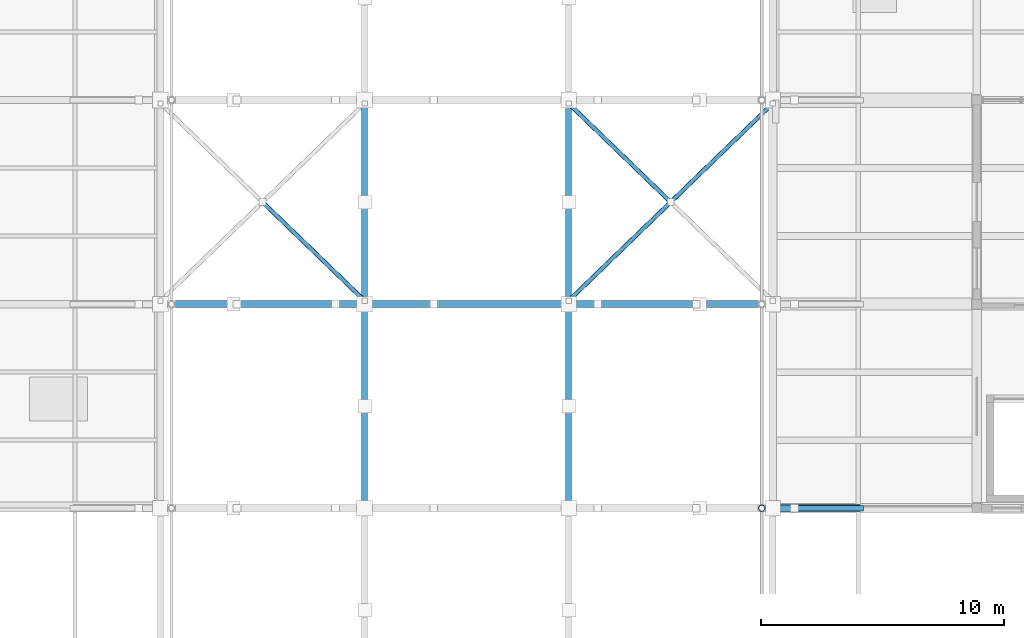
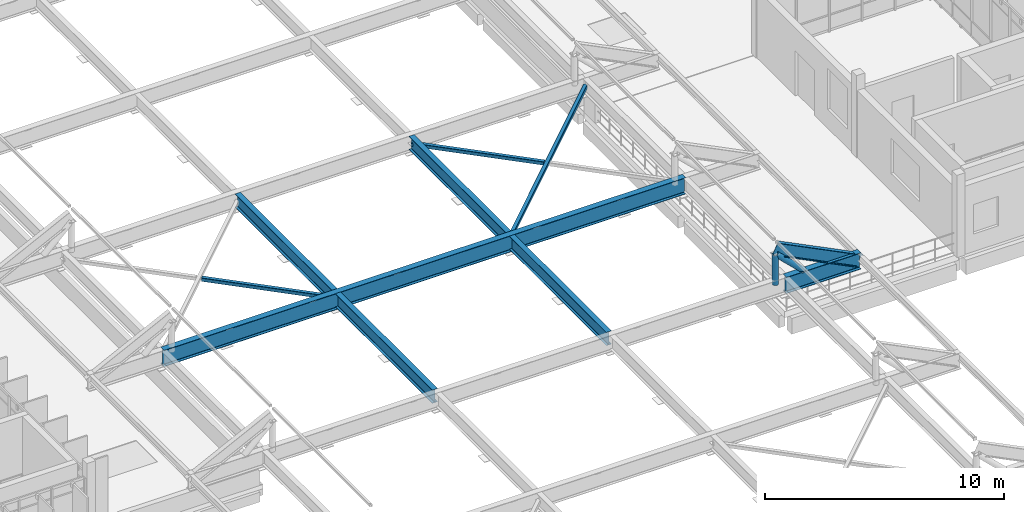
# One storey, part 10 of 41: 7 beams, 5 members.
"""IFC4 building model written with IfcOpenShell, lengths in metres."""

import ifcopenshell
import ifcopenshell.guid

model = None  # the IFC model being written
_history = None  # IfcOwnerHistory: only IFC2X3 demands one
_inside = {}  # id of a spatial element -> (the spatial element, [elements in it])
_under = {}  # id of a project, library or spatial element -> (it, [spatial elements below it])
_declared = {}  # id of a project -> (the project, [libraries it declares])
_typed = {}  # id of a type object -> (the type object, [elements of that type])
_made_of = {}  # id of a material, layer set ... -> (it, [elements and type objects made of it])


def new_model(schema):
    """Start an empty IFC model of exactly this schema.

    Asked for "IFC4X3", IfcOpenShell would pick the latest addendum, in which some entities
    have other attributes; the version numbers below select the first issue.
    IFC2X3 requires an IfcOwnerHistory on every rooted entity: one is made here for all.
    """
    global model, _history
    if schema == "IFC4X3":
        model = ifcopenshell.file(schema_version=(4, 3, 0, 0))
    else:
        model = ifcopenshell.file(schema=schema)
    _inside.clear()
    _under.clear()
    _declared.clear()
    _typed.clear()
    _made_of.clear()
    _history = None
    if model.schema == "IFC2X3":
        org = make("IfcOrganization", Name="unknown")
        user = make(
            "IfcPersonAndOrganization",
            ThePerson=make("IfcPerson", FamilyName="unknown"),
            TheOrganization=org,
        )
        app = make(
            "IfcApplication",
            ApplicationDeveloper=org,
            Version="unknown",
            ApplicationFullName="unknown",
            ApplicationIdentifier="unknown",
        )
        _history = make(
            "IfcOwnerHistory",
            OwningUser=user,
            OwningApplication=app,
            ChangeAction="ADDED",
            CreationDate=0,
        )
    return model


def make(cls, **values):
    """One entity of the class cls with the attributes given. An attribute that is None is left unset."""
    return model.create_entity(
        cls, **{name: value for name, value in values.items() if value is not None}
    )


def rooted(cls, **values):
    """An entity with a GlobalId (a new one), such as an element, a storey or a relation."""
    return make(cls, GlobalId=ifcopenshell.guid.new(), OwnerHistory=_history, **values)


def si_unit(unit_type, name, prefix=None):
    """IfcSIUnit, for example si_unit("LENGTHUNIT", "METRE", prefix="MILLI")."""
    return make("IfcSIUnit", UnitType=unit_type, Prefix=prefix, Name=name)


def assignment(units):
    """IfcUnitAssignment: the units of a project."""
    return None if units is None else make("IfcUnitAssignment", Units=units)


def point(xyz):
    """IfcCartesianPoint."""
    return None if xyz is None else make("IfcCartesianPoint", Coordinates=xyz)


def direction(xyz):
    """IfcDirection."""
    return None if xyz is None else make("IfcDirection", DirectionRatios=xyz)


def frame(location, z_axis=None, x_axis=None):
    """IfcAxis2Placement3D, a coordinate frame: its origin and axes. An axis left out is left unset."""
    return make(
        "IfcAxis2Placement3D",
        Location=point(location),
        Axis=direction(z_axis),
        RefDirection=direction(x_axis),
    )


def frame_2d(location, x_axis=None):
    """IfcAxis2Placement2D, a coordinate frame in the plane: its origin and x axis."""
    return make(
        "IfcAxis2Placement2D", Location=point(location), RefDirection=direction(x_axis)
    )


def origin():
    """The frame at (0, 0, 0) with its axes left unset."""
    return frame((0.0, 0.0, 0.0))


def origin_2d():
    """The frame at (0, 0) in the plane with its x axis left unset."""
    return frame_2d((0.0, 0.0))


def place(relative_to, where):
    """IfcLocalPlacement: puts the frame where relative to a parent placement (None: the world)."""
    return make(
        "IfcLocalPlacement", PlacementRelTo=relative_to, RelativePlacement=where
    )


def context(
    kind, dimensions, precision=None, world=None, true_north=None, identifier=None
):
    """IfcGeometricRepresentationContext, for example the 3D "Model" context."""
    return make(
        "IfcGeometricRepresentationContext",
        ContextIdentifier=identifier,
        ContextType=kind,
        CoordinateSpaceDimension=dimensions,
        Precision=precision,
        WorldCoordinateSystem=world,
        TrueNorth=true_north,
    )


def subcontext(parent, identifier, kind, view, scale=None):
    """IfcGeometricRepresentationSubContext, for example "Body" below "Model"."""
    return make(
        "IfcGeometricRepresentationSubContext",
        ContextIdentifier=identifier,
        ContextType=kind,
        ParentContext=parent,
        TargetScale=scale,
        TargetView=view,
    )


def project(units=None, contexts=None):
    """IfcProject with its units and contexts."""
    return rooted(
        "IfcProject",
        Name="project",
        RepresentationContexts=contexts,
        UnitsInContext=assignment(units),
    )


def spatial(cls, under=None, at=None, **own):
    """A site, building, storey or space (cls), placed at a placement, below another one or the project."""
    s = rooted(cls, ObjectPlacement=at, **own)
    if under is not None:
        _under.setdefault(under.id(), (under, []))[1].append(s)
    return s


def profile(cls, at=None, kind="AREA", **sizes):
    """A parametric profile (cls). Its sizes go by their IFC names, for example OverallWidth=200.0."""
    return make(cls, ProfileType=kind, Position=at, **sizes)


def hollow_rectangle(**sizes):
    """IfcRectangleHollowProfileDef."""
    return profile("IfcRectangleHollowProfileDef", **sizes)


def hollow_circle(**sizes):
    """IfcCircleHollowProfileDef."""
    return profile("IfcCircleHollowProfileDef", **sizes)


def i_section(**sizes):
    """IfcIShapeProfileDef."""
    return profile("IfcIShapeProfileDef", **sizes)


def extrude(swept, where, along, depth):
    """IfcExtrudedAreaSolid: the profile swept, set in the frame where, extruded along a direction by depth."""
    return make(
        "IfcExtrudedAreaSolid",
        SweptArea=swept,
        Position=where,
        ExtrudedDirection=direction(along),
        Depth=depth,
    )


def shape(context_of_items, identifier, shape_type, items):
    """IfcShapeRepresentation: the items that make up one representation, for example the "Body"."""
    return make(
        "IfcShapeRepresentation",
        ContextOfItems=context_of_items,
        RepresentationIdentifier=identifier,
        RepresentationType=shape_type,
        Items=items,
    )


def material(Name=None, Category=None):
    """IfcMaterial."""
    return make("IfcMaterial", Name=Name, Category=Category)


def material_profile(
    of_material, cross_section, Name=None, Category=None, Priority=None
):
    """IfcMaterialProfile: a cross section and its material."""
    return make(
        "IfcMaterialProfile",
        Name=Name,
        Material=of_material,
        Profile=cross_section,
        Priority=Priority,
        Category=Category,
    )


def profile_set(profiles, Name=None, composite=None):
    """IfcMaterialProfileSet."""
    return make(
        "IfcMaterialProfileSet",
        Name=Name,
        MaterialProfiles=profiles,
        CompositeProfile=composite,
    )


def made_of(thing, what):
    """Note that an element or type object is made of a material, layer set ...; save() writes the relation."""
    if what is not None:
        _made_of.setdefault(what.id(), (what, []))[1].append(thing)
    return thing


def type_object(cls, material=None, **own):
    """A type object (cls), such as IfcWallType, which elements share."""
    return made_of(rooted(cls, **own), material)


def element(
    cls,
    number,
    at=None,
    inside=None,
    cuts=None,
    type_object=None,
    material=None,
    context=None,
    identifier="Body",
    shape_type=None,
    held_by="IfcProductDefinitionShape",
    body=None,
    shapes=None,
    **own,
):
    """One element of the class cls, such as IfcWall. Its Tag is "e" and its number.

    at: its placement. inside: the storey or other place that contains it. cuts: it is an
    opening in that element (IfcRelVoidsElement). A single representation is given by context,
    identifier, shape_type and body (its items); several are given by shapes. held_by: the class
    of the entity that holds the representations. save() writes the other relations.
    """
    e = rooted(cls, Tag="e%d" % number, ObjectPlacement=at, **own)
    if body is not None:
        shapes = [shape(context, identifier, shape_type, body)]
    if shapes is not None:
        e.Representation = make(held_by, Representations=shapes)
    if inside is not None:
        _inside.setdefault(inside.id(), (inside, []))[1].append(e)
    if cuts is not None:
        rooted(
            "IfcRelVoidsElement", RelatingBuildingElement=cuts, RelatedOpeningElement=e
        )
    if type_object is not None:
        _typed.setdefault(type_object.id(), (type_object, []))[1].append(e)
    return made_of(e, material)


def aggregate(whole, parts):
    """IfcRelAggregates: a whole, such as a stair, and the parts it consists of."""
    return rooted("IfcRelAggregates", RelatingObject=whole, RelatedObjects=parts)


def save(model, path):
    """Write the relations noted so far, then the file.

    IfcRelAggregates (storeys below a building ...), IfcRelContainedInSpatialStructure (elements
    in a storey), IfcRelDefinesByType, IfcRelAssociatesMaterial and IfcRelDeclares: one each for
    every whole, place, type object, material and project.
    """
    for whole, parts in _under.values():
        aggregate(whole, parts)
    for where, things in _inside.values():
        rooted(
            "IfcRelContainedInSpatialStructure",
            RelatedElements=things,
            RelatingStructure=where,
        )
    for kind, things in _typed.values():
        rooted("IfcRelDefinesByType", RelatedObjects=things, RelatingType=kind)
    for what, things in _made_of.values():
        rooted("IfcRelAssociatesMaterial", RelatedObjects=things, RelatingMaterial=what)
    for by, libraries in _declared.values():
        rooted("IfcRelDeclares", RelatingContext=by, RelatedDefinitions=libraries)
    model.write(path)


model = new_model("IFC4")

# Units and contexts
model_context = context("Model", 3, precision=1e-05, world=origin(), true_north=direction((0.0, 1.0)))
body_context = subcontext(model_context, "Body", "Model", "MODEL_VIEW")
ifc_project = project(units=[si_unit("LENGTHUNIT", "METRE"), si_unit("AREAUNIT", "SQUARE_METRE"), si_unit("VOLUMEUNIT", "CUBIC_METRE"), si_unit("PLANEANGLEUNIT", "RADIAN"), si_unit("MASSUNIT", "GRAM", prefix="KILO")], contexts=[model_context])

# Site, building, storey
site_placement = place(None, origin())
site = spatial("IfcSite", under=ifc_project, at=site_placement, CompositionType="ELEMENT")
building_placement = place(site_placement, origin())
building = spatial("IfcBuilding", under=site, at=building_placement, Name="Vireocrest Preparatory School", CompositionType="ELEMENT")
storey_placement = place(building_placement, frame((0.0, 0.0, 21.60009765625)))
storey = spatial("IfcBuildingStorey", under=building, at=storey_placement, Name="L05", CompositionType="ELEMENT", Elevation=21.60009765625)

# Beams
ifc_material_1 = material(Name="Structural steel ASTM A992 Grade 50", Category="steel")
ifc_material_profile_1 = material_profile(ifc_material_1, i_section(OverallWidth=0.25390625, OverallDepth=0.68408203125, WebThickness=0.012451171875, FlangeThickness=0.018798828125, FilletRadius=0.01806640625, at=origin_2d()), Name="W27X94")
ifc_profile_set_1 = profile_set([ifc_material_profile_1], Name="Structural steel ASTM A992 Grade 50")
beam_type_1 = type_object("IfcBeamType", Name="Bridge Primary Steel Girder W27X94", PredefinedType="BEAM", material=ifc_profile_set_1)
for number, where, z_axis, x_axis, name in (
    (1, (75.60009765625, 43.944091796875, 1.492919921875), (0.0, 1.0, 0.0), (-1.0, 0.0, 0.0), "Canopy Longitudinal Beam WT-3"),
    (2, (84.0, 43.944091796875, 1.492919921875), (0.0, 1.0, 0.0), (-1.0, 0.0, 0.0), "Canopy Longitudinal Beam ET-3"),
):
    element("IfcBeam", number, at=place(storey_placement, frame(where, z_axis=z_axis, x_axis=x_axis)), inside=storey, type_object=beam_type_1, Name=name, PredefinedType="BEAM", context=body_context, shape_type="SweptSolid", body=[
        extrude(i_section(OverallWidth=0.25390625, OverallDepth=0.68408203125, WebThickness=0.012451171875, FlangeThickness=0.018798828125, FilletRadius=0.01806640625, at=origin_2d()), origin(), (0.0, 0.0, 1.0), 8.11181640625),
    ])
for number, where, z_axis, x_axis, name in (
    (3, (75.60009765625, 52.343994140625, 1.492919921875), (0.0, 1.0, 0.0), (-1.0, 0.0, 0.0), "Canopy Longitudinal Beam WT-4"),
    (4, (84.0, 52.343994140625, 1.492919921875), (0.0, 1.0, 0.0), (-1.0, 0.0, 0.0), "Canopy Longitudinal Beam ET-4"),
):
    element("IfcBeam", number, at=place(storey_placement, frame(where, z_axis=z_axis, x_axis=x_axis)), inside=storey, type_object=beam_type_1, Name=name, PredefinedType="BEAM", context=body_context, shape_type="SweptSolid", body=[
        extrude(i_section(OverallWidth=0.25390625, OverallDepth=0.68408203125, WebThickness=0.012451171875, FlangeThickness=0.018798828125, FilletRadius=0.01806640625, at=origin_2d()), origin(), (0.0, 0.0, 1.0), 8.112060546875),
    ])

# Members
ifc_material_2 = material(Name="Painted white steel ASTM A500 Grade C", Category="steel")
ifc_material_profile_2 = material_profile(ifc_material_2, hollow_rectangle(XDim=0.177734375, YDim=0.177734375, WallThickness=0.0087890625, InnerFilletRadius=0.0087890625, OuterFilletRadius=0.017822265625, at=origin_2d()), Name="HSS7X7X3/8")
ifc_profile_set_2 = profile_set([ifc_material_profile_2], Name="Painted white steel ASTM A500 Grade C")
member_type_1 = type_object("IfcMemberType", Name="Canopy Plane Wind Brace HSS7X7X3/8", PredefinedType="BRACE", material=ifc_profile_set_2)
member_1_placement = place(storey_placement, frame((71.486328125, 56.316650390625, 1.41748046875), z_axis=(0.718995483653, -0.695014744079, 0.0), x_axis=(0.695014744079, 0.718995483653, 0.0)))
element("IfcMember", 5, at=member_1_placement, inside=storey, type_object=member_type_1, Name="Canopy Split Wind X-Brace BR2-4-W-2", PredefinedType="BRACE", context=body_context, shape_type="SweptSolid", body=[
    extrude(hollow_rectangle(XDim=0.177734375, YDim=0.177734375, WallThickness=0.0087890625, InnerFilletRadius=0.0087890625, OuterFilletRadius=0.017822265625, at=origin_2d()), origin(), (0.0, 0.0, 1.0), 5.721435546875),
])
member_2_placement = place(storey_placement, frame((84.0, 52.340087890625, 1.41748046875), z_axis=(0.718989768396, 0.695020656486, 0.0), x_axis=(-0.695020656486, 0.718989768396, 0.0)))
element("IfcMember", 6, at=member_2_placement, inside=storey, type_object=member_type_1, Name="Canopy Wind Brace BR2-4-E", PredefinedType="BRACE", context=body_context, shape_type="SweptSolid", body=[
    extrude(hollow_rectangle(XDim=0.177734375, YDim=0.177734375, WallThickness=0.0087890625, InnerFilletRadius=0.0087890625, OuterFilletRadius=0.017822265625, at=origin_2d()), origin(), (0.0, 0.0, 1.0), 11.682861328125),
])
member_3_placement = place(storey_placement, frame((84.0, 60.4599609375, 1.41748046875), z_axis=(0.718995483653, -0.695014744079, 0.0), x_axis=(0.695014744079, 0.718995483653, 0.0)))
element("IfcMember", 7, at=member_3_placement, inside=storey, type_object=member_type_1, Name="Canopy Split Wind X-Brace BR2-4-E-1", PredefinedType="BRACE", context=body_context, shape_type="SweptSolid", body=[
    extrude(hollow_rectangle(XDim=0.177734375, YDim=0.177734375, WallThickness=0.0087890625, InnerFilletRadius=0.0087890625, OuterFilletRadius=0.017822265625, at=origin_2d()), origin(), (0.0, 0.0, 1.0), 5.721435546875),
])

# Beams
ifc_material_profile_3 = material_profile(ifc_material_1, i_section(OverallWidth=0.2919921875, OverallDepth=0.8349609375, WebThickness=0.013916015625, FlangeThickness=0.018798828125, FilletRadius=0.02001953125, at=origin_2d()), Name="W33X118")
ifc_profile_set_3 = profile_set([ifc_material_profile_3], Name="Structural steel ASTM A992 Grade 50")
beam_type_2 = type_object("IfcBeamType", Name="Central Court Canopy Primary Girder W33X118", PredefinedType="BEAM", material=ifc_profile_set_3)
beam_1_placement = place(storey_placement, frame((92.39990234375, 43.800048828125, 1.41748046875), z_axis=(1.0, 0.0, 0.0), x_axis=(0.0, 1.0, 0.0)))
element("IfcBeam", 8, at=beam_1_placement, inside=storey, type_object=beam_type_2, Name="Central Court Canopy Primary Girder CG1-3E", PredefinedType="BEAM", context=body_context, shape_type="SweptSolid", body=[
    extrude(i_section(OverallWidth=0.2919921875, OverallDepth=0.8349609375, WebThickness=0.013916015625, FlangeThickness=0.018798828125, FilletRadius=0.02001953125, at=origin_2d()), origin(), (0.0, 0.0, 1.0), 3.60009765625),
])
beam_2_placement = place(storey_placement, frame((67.199951171875, 52.199951171875, 1.41748046875), z_axis=(1.0, 0.0, 0.0), x_axis=(0.0, 1.0, 0.0)))
element("IfcBeam", 9, at=beam_2_placement, inside=storey, type_object=beam_type_2, Name="Central Court Canopy Primary Girder CG1-4C", PredefinedType="BEAM", context=body_context, shape_type="SweptSolid", body=[
    extrude(i_section(OverallWidth=0.2919921875, OverallDepth=0.8349609375, WebThickness=0.013916015625, FlangeThickness=0.018798828125, FilletRadius=0.02001953125, at=origin_2d()), origin(), (0.0, 0.0, 1.0), 25.199951171875),
])
ifc_material_profile_4 = material_profile(ifc_material_1, i_section(OverallWidth=0.22802734375, OverallDepth=0.60302734375, WebThickness=0.010498046875, FlangeThickness=0.014892578125, FilletRadius=0.01611328125, at=origin_2d()), Name="W24X68")
ifc_profile_set_4 = profile_set([ifc_material_profile_4], Name="Structural steel ASTM A992 Grade 50")
beam_type_3 = type_object("IfcBeamType", Name="Dining Pavilion Roof Girder W24X68", PredefinedType="BEAM", material=ifc_profile_set_4)
beam_3_placement = place(storey_placement, frame((91.949951171875, 43.800048828125, 3.394287109375), z_axis=(0.894869090369, 0.0, -0.446328702979), x_axis=(0.0, 1.0, 0.0)))
element("IfcBeam", 10, at=beam_3_placement, inside=storey, type_object=beam_type_3, Name="Canopy Rafter Chord SB4-3-8", PredefinedType="BEAM", context=body_context, shape_type="SweptSolid", body=[
    extrude(i_section(OverallWidth=0.22802734375, OverallDepth=0.60302734375, WebThickness=0.010498046875, FlangeThickness=0.014892578125, FilletRadius=0.01611328125, at=origin_2d()), origin(), (0.0, 0.0, 1.0), 4.52587890625),
])

# Members
ifc_material_profile_5 = material_profile(ifc_material_2, hollow_circle(Radius=0.136474609375, WallThickness=0.0126953125, at=origin_2d()), Name="HSS10.750X0.500")
ifc_profile_set_5 = profile_set([ifc_material_profile_5], Name="Painted white steel ASTM A500 Grade C")
member_type_2 = type_object("IfcMemberType", Name="White Steel Clerestory Strut HSS10.750X0.500", PredefinedType="USERDEFINED", material=ifc_profile_set_5)
member_4_placement = place(storey_placement, frame((91.949951171875, 43.800048828125, 1.577392578125), z_axis=(0.0, 0.0, 1.0), x_axis=(1.0, 0.0, 0.0)))
element("IfcMember", 11, at=member_4_placement, inside=storey, type_object=member_type_2, Name="Canopy Truss Web Vertical VS3-3-8", ObjectType="STRUT", PredefinedType="USERDEFINED", context=body_context, shape_type="SweptSolid", body=[
    extrude(hollow_circle(Radius=0.136474609375, WallThickness=0.0126953125, at=origin_2d()), origin(), (0.0, 0.0, 1.0), 1.54052734375),
])
member_5_placement = place(storey_placement, frame((93.300048828125, 43.800048828125, 1.81494140625), z_axis=(-0.719551659837, 0.0, 0.694438916555), x_axis=(0.0, -1.0, 0.0)))
element("IfcMember", 12, at=member_5_placement, inside=storey, type_object=member_type_2, Name="Canopy Truss Web Strut VS3-3-7", ObjectType="STRUT", PredefinedType="USERDEFINED", context=body_context, shape_type="SweptSolid", body=[
    extrude(hollow_circle(Radius=0.136474609375, WallThickness=0.0126953125, at=origin_2d()), origin(), (0.0, 0.0, 1.0), 1.876220703125),
])

save(model, "model.ifc")
